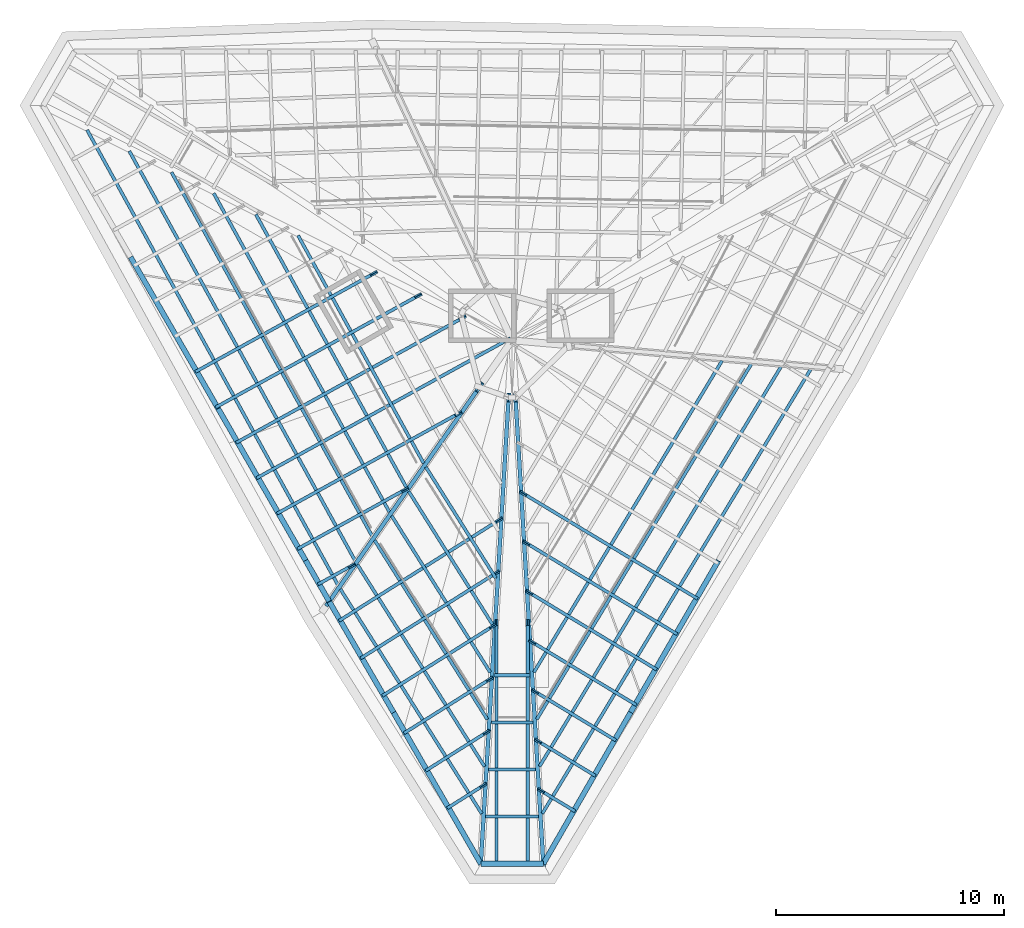
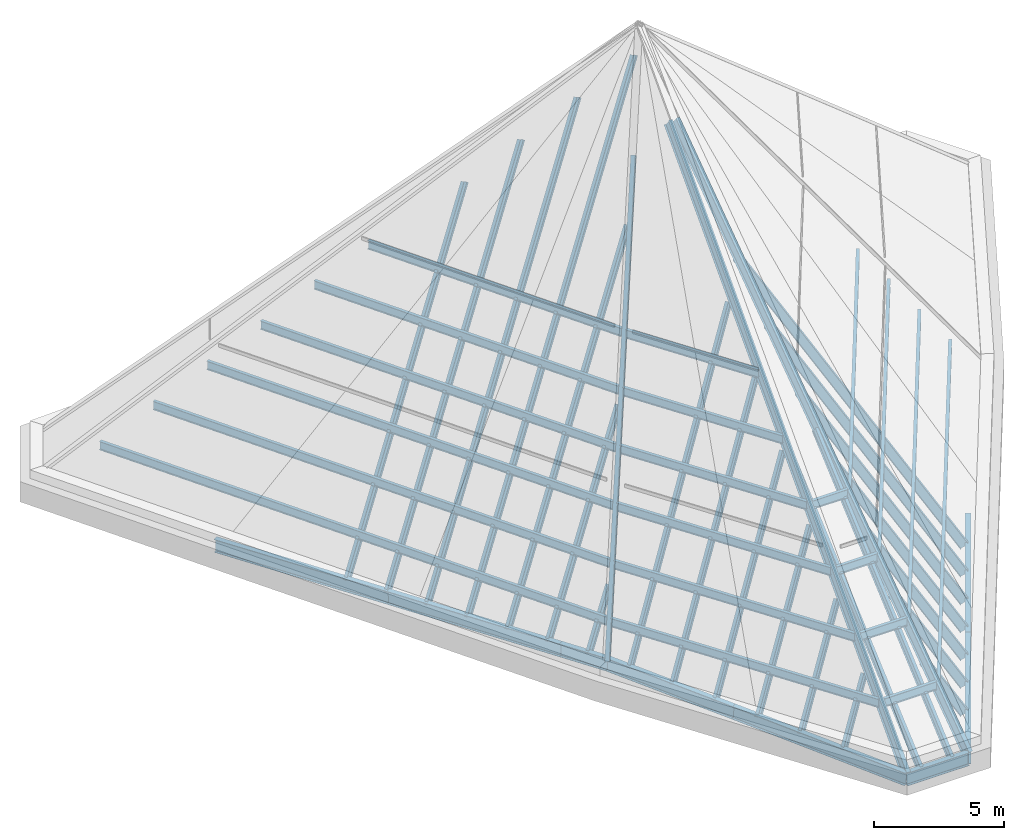
# One storey, part 1 of 6: 45 members, 8 beams.
"""IFC4 building model written with IfcOpenShell, lengths in metres."""

from ifc_helpers import new_model, si_unit, direction, frame, origin, origin_2d, place, context, subcontext, project, spatial, i_section, extrude, material, material_profile, profile_set, type_object, element, save


model = new_model("IFC4")

# Units and contexts
model_context = context("Model", 3, precision=1e-05, world=origin(), true_north=direction((0.0, 1.0)))
body_context = subcontext(model_context, "Body", "Model", "MODEL_VIEW")
ifc_project = project(units=[si_unit("LENGTHUNIT", "METRE"), si_unit("AREAUNIT", "SQUARE_METRE"), si_unit("VOLUMEUNIT", "CUBIC_METRE"), si_unit("PLANEANGLEUNIT", "RADIAN"), si_unit("MASSUNIT", "GRAM", prefix="KILO")], contexts=[model_context])

# Site, building, storey
site_placement = place(None, origin())
site = spatial("IfcSite", under=ifc_project, at=site_placement, CompositionType="ELEMENT")
building_placement = place(site_placement, origin())
building = spatial("IfcBuilding", under=site, at=building_placement, Name="Verrane Prism Tower", CompositionType="ELEMENT")
storey_placement = place(building_placement, frame((0.0, 0.0, 333.60009765625)))
storey = spatial("IfcBuildingStorey", under=building, at=storey_placement, Name="Roof", CompositionType="ELEMENT", Elevation=333.60009765625)

# Members
ifc_material_1 = material(Name="Steel A992", Category="steel")
ifc_material_profile_1 = material_profile(ifc_material_1, i_section(OverallWidth=0.140380859375, OverallDepth=0.40380859375, WebThickness=0.007080078125, FlangeThickness=0.01123046875, FilletRadius=0.01025390625, at=origin_2d()), Name="W16x31")
ifc_profile_set_1 = profile_set([ifc_material_profile_1], Name="Steel A992")
member_type_1 = type_object("IfcMemberType", Name="Common rafter W16x31", PredefinedType="RAFTER", material=ifc_profile_set_1)
member_1_placement = place(storey_placement, frame((-13.7275390625, -1.300537109375, -0.335693359375), z_axis=(0.477943135437, 0.26348985442, 0.837940007343), x_axis=(-0.482792288244, 0.875734895052, 0.0)))
element("IfcMember", 1, at=member_1_placement, inside=storey, type_object=member_type_1, Name="Common rafter", PredefinedType="RAFTER", context=body_context, shape_type="SweptSolid", body=[
    extrude(i_section(OverallWidth=0.140380859375, OverallDepth=0.40380859375, WebThickness=0.007080078125, FlangeThickness=0.01123046875, FilletRadius=0.01025390625, at=origin_2d()), origin(), (0.0, 0.0, 1.0), 16.056396484375),
])
member_2_placement = place(storey_placement, frame((-12.83251953125, -2.85205078125, -0.2822265625), z_axis=(0.477940834976, 0.263489464521, 0.837941442076), x_axis=(-0.482793522508, 0.875734214602, 0.0)))
element("IfcMember", 2, at=member_2_placement, inside=storey, type_object=member_type_1, Name="Common rafter", PredefinedType="RAFTER", context=body_context, shape_type="SweptSolid", body=[
    extrude(i_section(OverallWidth=0.140380859375, OverallDepth=0.40380859375, WebThickness=0.007080078125, FlangeThickness=0.01123046875, FilletRadius=0.01025390625, at=origin_2d()), origin(), (0.0, 0.0, 1.0), 18.25146484375),
])
member_3_placement = place(storey_placement, frame((-11.9375, -4.4033203125, -0.22900390625), z_axis=(0.477934246523, 0.263486522048, 0.837946125177), x_axis=(-0.482794491768, 0.875733680247, 0.0)))
element("IfcMember", 3, at=member_3_placement, inside=storey, type_object=member_type_1, Name="Common rafter", PredefinedType="RAFTER", context=body_context, shape_type="SweptSolid", body=[
    extrude(i_section(OverallWidth=0.140380859375, OverallDepth=0.40380859375, WebThickness=0.007080078125, FlangeThickness=0.01123046875, FilletRadius=0.01025390625, at=origin_2d()), origin(), (0.0, 0.0, 1.0), 20.44677734375),
])
member_4_placement = place(storey_placement, frame((-11.04248046875, -5.954833984375, -0.175537109375), z_axis=(0.477941573539, 0.26348517295, 0.837942370285), x_axis=(-0.482786919733, 0.875737854689, 0.0)))
element("IfcMember", 4, at=member_4_placement, inside=storey, type_object=member_type_1, Name="Common rafter", PredefinedType="RAFTER", context=body_context, shape_type="SweptSolid", body=[
    extrude(i_section(OverallWidth=0.140380859375, OverallDepth=0.40380859375, WebThickness=0.007080078125, FlangeThickness=0.01123046875, FilletRadius=0.01025390625, at=origin_2d()), origin(), (0.0, 0.0, 1.0), 22.641845703125),
])
member_5_placement = place(storey_placement, frame((-10.1474609375, -7.50634765625, -0.122314453125), z_axis=(0.477927682083, 0.26349830084, 0.837946165427), x_axis=(-0.482816129084, 0.875721751184, 0.0)))
element("IfcMember", 5, at=member_5_placement, inside=storey, type_object=member_type_1, Name="Common rafter", PredefinedType="RAFTER", context=body_context, shape_type="SweptSolid", body=[
    extrude(i_section(OverallWidth=0.140380859375, OverallDepth=0.40380859375, WebThickness=0.007080078125, FlangeThickness=0.01123046875, FilletRadius=0.01025390625, at=origin_2d()), origin(), (0.0, 0.0, 1.0), 16.299560546875),
])
member_6_placement = place(storey_placement, frame((-9.25244140625, -9.0576171875, -0.06884765625), z_axis=(0.477928423652, 0.263473033937, 0.837953687416), x_axis=(-0.482780048497, 0.875741642708, 0.0)))
element("IfcMember", 6, at=member_6_placement, inside=storey, type_object=member_type_1, Name="Common rafter", PredefinedType="RAFTER", context=body_context, shape_type="SweptSolid", body=[
    extrude(i_section(OverallWidth=0.140380859375, OverallDepth=0.40380859375, WebThickness=0.007080078125, FlangeThickness=0.01123046875, FilletRadius=0.01025390625, at=origin_2d()), origin(), (0.0, 0.0, 1.0), 9.5478515625),
])
member_7_placement = place(storey_placement, frame((-8.357421875, -10.609130859375, -0.015380859375), z_axis=(0.477945722998, 0.263507525029, 0.837932974719), x_axis=(-0.482815114009, 0.87572231083, 0.0)))
element("IfcMember", 7, at=member_7_placement, inside=storey, type_object=member_type_1, Name="Common rafter", PredefinedType="RAFTER", context=body_context, shape_type="SweptSolid", body=[
    extrude(i_section(OverallWidth=0.140380859375, OverallDepth=0.40380859375, WebThickness=0.007080078125, FlangeThickness=0.01123046875, FilletRadius=0.01025390625, at=origin_2d()), origin(), (0.0, 0.0, 1.0), 2.796142578125),
])
member_8_placement = place(storey_placement, frame((-7.439208984375, -12.199951171875, -0.0400390625), z_axis=(0.470433752926, 0.296199647912, 0.831238745899), x_axis=(-0.532814066147, 0.846232338614, 0.0)))
element("IfcMember", 8, at=member_8_placement, inside=storey, type_object=member_type_1, Name="Common rafter", PredefinedType="RAFTER", context=body_context, shape_type="SweptSolid", body=[
    extrude(i_section(OverallWidth=0.140380859375, OverallDepth=0.40380859375, WebThickness=0.007080078125, FlangeThickness=0.01123046875, FilletRadius=0.01025390625, at=origin_2d()), origin(), (0.0, 0.0, 1.0), 14.62451171875),
])
member_9_placement = place(storey_placement, frame((-6.490478515625, -13.84130859375, -0.147705078125), z_axis=(0.470419645076, 0.29619088127, 0.831249853762), x_axis=(-0.532814215704, 0.846232244448, 0.0)))
element("IfcMember", 9, at=member_9_placement, inside=storey, type_object=member_type_1, Name="Common rafter", PredefinedType="RAFTER", context=body_context, shape_type="SweptSolid", body=[
    extrude(i_section(OverallWidth=0.140380859375, OverallDepth=0.40380859375, WebThickness=0.007080078125, FlangeThickness=0.01123046875, FilletRadius=0.01025390625, at=origin_2d()), origin(), (0.0, 0.0, 1.0), 12.31298828125),
])
member_10_placement = place(storey_placement, frame((-5.5419921875, -15.482666015625, -0.255126953125), z_axis=(0.470437115956, 0.296186680914, 0.831241463102), x_axis=(-0.532794634633, 0.846244572985, 0.0)))
element("IfcMember", 10, at=member_10_placement, inside=storey, type_object=member_type_1, Name="Common rafter", PredefinedType="RAFTER", context=body_context, shape_type="SweptSolid", body=[
    extrude(i_section(OverallWidth=0.140380859375, OverallDepth=0.40380859375, WebThickness=0.007080078125, FlangeThickness=0.01123046875, FilletRadius=0.01025390625, at=origin_2d()), origin(), (0.0, 0.0, 1.0), 10.0009765625),
])
member_11_placement = place(storey_placement, frame((-4.593505859375, -17.124267578125, -0.362548828125), z_axis=(0.470423527759, 0.296205527164, 0.831242437685), x_axis=(-0.532829932928, 0.84622234819, 0.0)))
element("IfcMember", 11, at=member_11_placement, inside=storey, type_object=member_type_1, Name="Common rafter", PredefinedType="RAFTER", context=body_context, shape_type="SweptSolid", body=[
    extrude(i_section(OverallWidth=0.140380859375, OverallDepth=0.40380859375, WebThickness=0.007080078125, FlangeThickness=0.01123046875, FilletRadius=0.01025390625, at=origin_2d()), origin(), (0.0, 0.0, 1.0), 7.689208984375),
])
member_12_placement = place(storey_placement, frame((-3.644775390625, -18.765625, -0.469970703125), z_axis=(0.470422335716, 0.296210338598, 0.83124139777), x_axis=(-0.532837097562, 0.846217836885, 0.0)))
element("IfcMember", 12, at=member_12_placement, inside=storey, type_object=member_type_1, Name="Common rafter", PredefinedType="RAFTER", context=body_context, shape_type="SweptSolid", body=[
    extrude(i_section(OverallWidth=0.140380859375, OverallDepth=0.40380859375, WebThickness=0.007080078125, FlangeThickness=0.01123046875, FilletRadius=0.01025390625, at=origin_2d()), origin(), (0.0, 0.0, 1.0), 5.377197265625),
])
member_13_placement = place(storey_placement, frame((-2.6962890625, -20.406982421875, -0.577392578125), z_axis=(0.470450220356, 0.296191699594, 0.831232258312), x_axis=(-0.532790471453, 0.846247194104, 0.0)))
element("IfcMember", 13, at=member_13_placement, inside=storey, type_object=member_type_1, Name="Common rafter", PredefinedType="RAFTER", context=body_context, shape_type="SweptSolid", body=[
    extrude(i_section(OverallWidth=0.140380859375, OverallDepth=0.40380859375, WebThickness=0.007080078125, FlangeThickness=0.01123046875, FilletRadius=0.01025390625, at=origin_2d()), origin(), (0.0, 0.0, 1.0), 3.0654296875),
])
for number, where, z_axis, x_axis, name in (
    (14, (-0.68505859375, -22.81591796875, -0.71337890625), (0.0, 0.753603355745, 0.657329432027), (-1.0, 0.0, 0.0), "Common rafter"),
    (15, (0.68505859375, -22.81591796875, -0.71337890625), (0.0, 0.753603355745, 0.657329432027), (-1.0, 0.0, 0.0), "Common rafter"),
):
    element("IfcMember", number, at=place(storey_placement, frame(where, z_axis=z_axis, x_axis=x_axis)), inside=storey, type_object=member_type_1, Name=name, PredefinedType="RAFTER", context=body_context, shape_type="SweptSolid", body=[
        extrude(i_section(OverallWidth=0.140380859375, OverallDepth=0.40380859375, WebThickness=0.007080078125, FlangeThickness=0.01123046875, FilletRadius=0.01025390625, at=origin_2d()), origin(), (0.0, 0.0, 1.0), 13.87890625),
    ])
member_14_placement = place(storey_placement, frame((2.61474609375, -20.543701171875, -0.658203125), z_axis=(-0.467134257628, 0.282092859347, 0.837979238439), x_axis=(-0.516935618749, -0.856024278901, 0.0)))
element("IfcMember", 16, at=member_14_placement, inside=storey, type_object=member_type_1, Name="Common rafter", PredefinedType="RAFTER", context=body_context, shape_type="SweptSolid", body=[
    extrude(i_section(OverallWidth=0.140380859375, OverallDepth=0.40380859375, WebThickness=0.007080078125, FlangeThickness=0.01123046875, FilletRadius=0.01025390625, at=origin_2d()), origin(), (0.0, 0.0, 1.0), 2.8828125),
])
member_15_placement = place(storey_placement, frame((3.509765625, -18.992431640625, -0.602783203125), z_axis=(-0.467178849762, 0.282163713357, 0.837930522895), x_axis=(-0.516994593613, -0.85598866241, 0.0)))
element("IfcMember", 17, at=member_15_placement, inside=storey, type_object=member_type_1, Name="Common rafter", PredefinedType="RAFTER", context=body_context, shape_type="SweptSolid", body=[
    extrude(i_section(OverallWidth=0.140380859375, OverallDepth=0.40380859375, WebThickness=0.007080078125, FlangeThickness=0.01123046875, FilletRadius=0.01025390625, at=origin_2d()), origin(), (0.0, 0.0, 1.0), 5.076416015625),
])
member_16_placement = place(storey_placement, frame((4.40478515625, -17.44091796875, -0.547607421875), z_axis=(-0.467148451542, 0.282169754842, 0.837945435976), x_axis=(-0.517027353727, -0.855968875309, 0.0)))
element("IfcMember", 18, at=member_16_placement, inside=storey, type_object=member_type_1, Name="Common rafter", PredefinedType="RAFTER", context=body_context, shape_type="SweptSolid", body=[
    extrude(i_section(OverallWidth=0.140380859375, OverallDepth=0.40380859375, WebThickness=0.007080078125, FlangeThickness=0.01123046875, FilletRadius=0.01025390625, at=origin_2d()), origin(), (0.0, 0.0, 1.0), 7.26953125),
])
member_17_placement = place(storey_placement, frame((5.2998046875, -15.889404296875, -0.4921875), z_axis=(-0.467175883374, 0.282142448673, 0.837939337094), x_axis=(-0.51696844974, -0.856004452076, 0.0)))
element("IfcMember", 19, at=member_17_placement, inside=storey, type_object=member_type_1, Name="Common rafter", PredefinedType="RAFTER", context=body_context, shape_type="SweptSolid", body=[
    extrude(i_section(OverallWidth=0.140380859375, OverallDepth=0.40380859375, WebThickness=0.007080078125, FlangeThickness=0.01123046875, FilletRadius=0.01025390625, at=origin_2d()), origin(), (0.0, 0.0, 1.0), 9.463134765625),
])
member_18_placement = place(storey_placement, frame((6.19482421875, -14.338134765625, -0.43701171875), z_axis=(-0.467162897324, 0.282161782235, 0.837940067076), x_axis=(-0.517004936267, -0.855982415635, 0.0)))
element("IfcMember", 20, at=member_18_placement, inside=storey, type_object=member_type_1, Name="Common rafter", PredefinedType="RAFTER", context=body_context, shape_type="SweptSolid", body=[
    extrude(i_section(OverallWidth=0.140380859375, OverallDepth=0.40380859375, WebThickness=0.007080078125, FlangeThickness=0.01123046875, FilletRadius=0.01025390625, at=origin_2d()), origin(), (0.0, 0.0, 1.0), 11.65673828125),
])
member_19_placement = place(storey_placement, frame((7.08984375, -12.78662109375, -0.381591796875), z_axis=(-0.467172472503, 0.282150878986, 0.837938400136), x_axis=(-0.516982533871, -0.855995946061, 0.0)))
element("IfcMember", 21, at=member_19_placement, inside=storey, type_object=member_type_1, Name="Common rafter", PredefinedType="RAFTER", context=body_context, shape_type="SweptSolid", body=[
    extrude(i_section(OverallWidth=0.140380859375, OverallDepth=0.40380859375, WebThickness=0.007080078125, FlangeThickness=0.01123046875, FilletRadius=0.01025390625, at=origin_2d()), origin(), (0.0, 0.0, 1.0), 13.849853515625),
])
member_20_placement = place(storey_placement, frame((7.98486328125, -11.2353515625, -0.326416015625), z_axis=(-0.467163503543, 0.282163773501, 0.837939058572), x_axis=(-0.517007118036, -0.855981097864, 0.0)))
element("IfcMember", 22, at=member_20_placement, inside=storey, type_object=member_type_1, Name="Common rafter", PredefinedType="RAFTER", context=body_context, shape_type="SweptSolid", body=[
    extrude(i_section(OverallWidth=0.140380859375, OverallDepth=0.40380859375, WebThickness=0.007080078125, FlangeThickness=0.01123046875, FilletRadius=0.01025390625, at=origin_2d()), origin(), (0.0, 0.0, 1.0), 16.04345703125),
])

# Beams
ifc_material_2 = material(Name="Steel A992", Category="steel")
ifc_material_profile_2 = material_profile(ifc_material_2, i_section(OverallWidth=0.228271484375, OverallDepth=0.607177734375, WebThickness=0.01123046875, FlangeThickness=0.017333984375, FilletRadius=0.0126953125, at=origin_2d()), Name="W24x76")
ifc_profile_set_2 = profile_set([ifc_material_profile_2], Name="Steel A992")
beam_type = type_object("IfcBeamType", Name="Eave ring beam W24x76", PredefinedType="BEAM", material=ifc_profile_set_2)
beam_1_placement = place(storey_placement, frame((-16.7099609375, 3.639892578125, -0.616943359375), z_axis=(0.500369029568, -0.865242656228, 0.031400319951), x_axis=(0.865669527937, 0.500615889083, 0.0)))
element("IfcBeam", 23, at=beam_1_placement, inside=storey, type_object=beam_type, Name="Eave ring beam", PredefinedType="BEAM", context=body_context, shape_type="SweptSolid", body=[
    extrude(i_section(OverallWidth=0.228271484375, OverallDepth=0.607177734375, WebThickness=0.01123046875, FlangeThickness=0.017333984375, FilletRadius=0.0126953125, at=origin_2d()), origin(), (0.0, 0.0, 1.0), 7.674072265625),
])
beam_2_placement = place(storey_placement, frame((-12.8701171875, -3.0, -0.3759765625), z_axis=(0.498890846471, -0.866190009955, 0.028684315624), x_axis=(0.866546576227, 0.499096214401, 0.0)))
element("IfcBeam", 24, at=beam_2_placement, inside=storey, type_object=beam_type, Name="Eave ring beam", PredefinedType="BEAM", context=body_context, shape_type="SweptSolid", body=[
    extrude(i_section(OverallWidth=0.228271484375, OverallDepth=0.607177734375, WebThickness=0.01123046875, FlangeThickness=0.017333984375, FilletRadius=0.0126953125, at=origin_2d()), origin(), (0.0, 0.0, 1.0), 7.67724609375),
])
beam_3_placement = place(storey_placement, frame((-9.0400390625, -9.64990234375, -0.15576171875), z_axis=(0.498549225313, -0.866405053329, 0.028123895621), x_axis=(0.866747899781, 0.49874650698, 0.0)))
element("IfcBeam", 25, at=beam_3_placement, inside=storey, type_object=beam_type, Name="Eave ring beam", PredefinedType="BEAM", context=body_context, shape_type="SweptSolid", body=[
    extrude(i_section(OverallWidth=0.228271484375, OverallDepth=0.607177734375, WebThickness=0.01123046875, FlangeThickness=0.017333984375, FilletRadius=0.0126953125, at=origin_2d()), origin(), (0.0, 0.0, 1.0), 2.066162109375),
])
beam_4_placement = place(storey_placement, frame((-8.010009765625, -11.43994140625, -0.097412109375), z_axis=(0.500561015127, -0.863957004911, -0.054926895057), x_axis=(0.865263224773, 0.501317815219, 0.0)))
element("IfcBeam", 26, at=beam_4_placement, inside=storey, type_object=beam_type, Name="Eave ring beam", PredefinedType="BEAM", context=body_context, shape_type="SweptSolid", body=[
    extrude(i_section(OverallWidth=0.228271484375, OverallDepth=0.607177734375, WebThickness=0.01123046875, FlangeThickness=0.017333984375, FilletRadius=0.0126953125, at=origin_2d()), origin(), (0.0, 0.0, 1.0), 5.61376953125),
])
beam_5_placement = place(storey_placement, frame((-5.199951171875, -16.2900390625, -0.40576171875), z_axis=(0.498801465433, -0.864786348912, -0.057807169258), x_axis=(0.866234895134, 0.499636974665, 0.0)))
element("IfcBeam", 27, at=beam_5_placement, inside=storey, type_object=beam_type, Name="Eave ring beam", PredefinedType="BEAM", context=body_context, shape_type="SweptSolid", body=[
    extrude(i_section(OverallWidth=0.228271484375, OverallDepth=0.607177734375, WebThickness=0.01123046875, FlangeThickness=0.017333984375, FilletRadius=0.0126953125, at=origin_2d()), origin(), (0.0, 0.0, 1.0), 7.677978515625),
])
beam_6_placement = place(storey_placement, frame((-1.3701171875, -22.929931640625, -0.848388671875), z_axis=(1.0, 0.0, 0.0), x_axis=(0.0, 1.0, 0.0)))
element("IfcBeam", 28, at=beam_6_placement, inside=storey, type_object=beam_type, Name="Eave ring beam", PredefinedType="BEAM", context=body_context, shape_type="SweptSolid", body=[
    extrude(i_section(OverallWidth=0.228271484375, OverallDepth=0.607177734375, WebThickness=0.01123046875, FlangeThickness=0.017333984375, FilletRadius=0.0126953125, at=origin_2d()), origin(), (0.0, 0.0, 1.0), 2.740234375),
])
beam_7_placement = place(storey_placement, frame((1.3701171875, -22.929931640625, -0.849853515625), z_axis=(0.499397712292, 0.865820079123, 0.030943748094), x_axis=(-0.866234895134, 0.499636974665, 0.0)))
element("IfcBeam", 29, at=beam_7_placement, inside=storey, type_object=beam_type, Name="Eave ring beam", PredefinedType="BEAM", context=body_context, shape_type="SweptSolid", body=[
    extrude(i_section(OverallWidth=0.228271484375, OverallDepth=0.607177734375, WebThickness=0.01123046875, FlangeThickness=0.017333984375, FilletRadius=0.0126953125, at=origin_2d()), origin(), (0.0, 0.0, 1.0), 7.6689453125),
])
beam_8_placement = place(storey_placement, frame((5.199951171875, -16.2900390625, -0.612548828125), z_axis=(0.500412389562, 0.865294435203, 0.029205834676), x_axis=(-0.86566371122, 0.500625947267, 0.0)))
element("IfcBeam", 30, at=beam_8_placement, inside=storey, type_object=beam_type, Name="Eave ring beam", PredefinedType="BEAM", context=body_context, shape_type="SweptSolid", body=[
    extrude(i_section(OverallWidth=0.228271484375, OverallDepth=0.607177734375, WebThickness=0.01123046875, FlangeThickness=0.017333984375, FilletRadius=0.0126953125, at=origin_2d()), origin(), (0.0, 0.0, 1.0), 7.673828125),
])

# Members
ifc_material_3 = material(Name="Steel A992", Category="steel")
ifc_material_profile_3 = material_profile(ifc_material_3, i_section(OverallWidth=0.177978515625, OverallDepth=0.599365234375, WebThickness=0.010009765625, FlangeThickness=0.012939453125, FilletRadius=0.012939453125, at=origin_2d()), Name="W24x55")
ifc_profile_set_3 = profile_set([ifc_material_profile_3], Name="Steel A992")
member_type_2 = type_object("IfcMemberType", Name="Hip rafter W24x55", PredefinedType="RAFTER", material=ifc_profile_set_3)
member_21_placement = place(storey_placement, frame((-8.010009765625, -11.43994140625, -0.037353515625), z_axis=(0.336957054977, 0.480843918502, 0.809474563616), x_axis=(-0.818938717294, 0.573880978355, 0.0)))
element("IfcMember", 31, at=member_21_placement, inside=storey, type_object=member_type_2, Name="Hip rafter", PredefinedType="RAFTER", context=body_context, shape_type="SweptSolid", body=[
    extrude(i_section(OverallWidth=0.177978515625, OverallDepth=0.599365234375, WebThickness=0.010009765625, FlangeThickness=0.012939453125, FilletRadius=0.012939453125, at=origin_2d()), origin(), (0.0, 0.0, 1.0), 19.52783203125),
])
member_22_placement = place(storey_placement, frame((-1.3701171875, -22.929931640625, -0.6728515625), z_axis=(0.044964177643, 0.752830602105, 0.656676714421), x_axis=(-0.998221111454, 0.059620572353, 0.0)))
element("IfcMember", 32, at=member_22_placement, inside=storey, type_object=member_type_2, Name="Hip rafter", PredefinedType="RAFTER", context=body_context, shape_type="SweptSolid", body=[
    extrude(i_section(OverallWidth=0.177978515625, OverallDepth=0.599365234375, WebThickness=0.010009765625, FlangeThickness=0.012939453125, FilletRadius=0.012939453125, at=origin_2d()), origin(), (0.0, 0.0, 1.0), 27.137451171875),
])
member_23_placement = place(storey_placement, frame((1.3701171875, -22.929931640625, -0.676513671875), z_axis=(-0.044963912006, 0.75282615458, 0.656681831329), x_axis=(-0.998221111454, -0.059620572353, 0.0)))
element("IfcMember", 33, at=member_23_placement, inside=storey, type_object=member_type_2, Name="Hip rafter", PredefinedType="RAFTER", context=body_context, shape_type="SweptSolid", body=[
    extrude(i_section(OverallWidth=0.177978515625, OverallDepth=0.599365234375, WebThickness=0.010009765625, FlangeThickness=0.012939453125, FilletRadius=0.012939453125, at=origin_2d()), origin(), (0.0, 0.0, 1.0), 27.1376953125),
])
ifc_material_4 = material(Name="Steel A992", Category="steel")
ifc_material_profile_4 = material_profile(ifc_material_4, i_section(OverallWidth=0.140380859375, OverallDepth=0.40380859375, WebThickness=0.007080078125, FlangeThickness=0.01123046875, FilletRadius=0.01025390625, at=origin_2d()), Name="W16x31")
ifc_profile_set_4 = profile_set([ifc_material_profile_4], Name="Steel A992")
member_type_3 = type_object("IfcMemberType", Name="Purlin W16x31", PredefinedType="PURLIN", material=ifc_profile_set_4)
member_24_placement = place(storey_placement, frame((-18.6181640625, 9.218505859375, 1.35009765625), z_axis=(0.482801059119, -0.875730059615, 0.0), x_axis=(0.875730059615, 0.482801059119, 0.0)))
element("IfcMember", 34, at=member_24_placement, inside=storey, type_object=member_type_3, Name="Purlin", PredefinedType="PURLIN", context=body_context, shape_type="SweptSolid", body=[
    extrude(i_section(OverallWidth=0.140380859375, OverallDepth=0.40380859375, WebThickness=0.007080078125, FlangeThickness=0.01123046875, FilletRadius=0.01025390625, at=origin_2d()), origin(), (0.0, 0.0, 1.0), 22.778076171875),
])
member_25_placement = place(storey_placement, frame((-16.769287109375, 8.293212890625, 3.150146484375), z_axis=(0.482799010142, -0.875731189239, 0.0), x_axis=(0.875731189239, 0.482799010142, 0.0)))
element("IfcMember", 35, at=member_25_placement, inside=storey, type_object=member_type_3, Name="Purlin", PredefinedType="PURLIN", context=body_context, shape_type="SweptSolid", body=[
    extrude(i_section(OverallWidth=0.140380859375, OverallDepth=0.40380859375, WebThickness=0.007080078125, FlangeThickness=0.01123046875, FilletRadius=0.01025390625, at=origin_2d()), origin(), (0.0, 0.0, 1.0), 20.500244140625),
])
member_26_placement = place(storey_placement, frame((-14.92041015625, 7.367919921875, 4.9501953125), z_axis=(0.482802113602, -0.875729478264, 0.0), x_axis=(0.875729478264, 0.482802113602, 0.0)))
element("IfcMember", 36, at=member_26_placement, inside=storey, type_object=member_type_3, Name="Purlin", PredefinedType="PURLIN", context=body_context, shape_type="SweptSolid", body=[
    extrude(i_section(OverallWidth=0.140380859375, OverallDepth=0.40380859375, WebThickness=0.007080078125, FlangeThickness=0.01123046875, FilletRadius=0.01025390625, at=origin_2d()), origin(), (0.0, 0.0, 1.0), 18.221923828125),
])
member_27_placement = place(storey_placement, frame((-13.071533203125, 6.442626953125, 6.75), z_axis=(0.482787886495, -0.87573732172, 0.0), x_axis=(0.87573732172, 0.482787886495, 0.0)))
element("IfcMember", 37, at=member_27_placement, inside=storey, type_object=member_type_3, Name="Purlin", PredefinedType="PURLIN", context=body_context, shape_type="SweptSolid", body=[
    extrude(i_section(OverallWidth=0.140380859375, OverallDepth=0.40380859375, WebThickness=0.007080078125, FlangeThickness=0.01123046875, FilletRadius=0.01025390625, at=origin_2d()), origin(), (0.0, 0.0, 1.0), 15.94384765625),
])
member_28_placement = place(storey_placement, frame((-11.222900390625, 5.517333984375, 8.550048828125), z_axis=(0.482803871212, -0.875728509267, 0.0), x_axis=(0.875728509267, 0.482803871212, 0.0)))
element("IfcMember", 38, at=member_28_placement, inside=storey, type_object=member_type_3, Name="Purlin", PredefinedType="PURLIN", context=body_context, shape_type="SweptSolid", body=[
    extrude(i_section(OverallWidth=0.140380859375, OverallDepth=0.40380859375, WebThickness=0.007080078125, FlangeThickness=0.01123046875, FilletRadius=0.01025390625, at=origin_2d()), origin(), (0.0, 0.0, 1.0), 13.665771484375),
])
member_29_placement = place(storey_placement, frame((-9.373779296875, 4.592041015625, 10.35009765625), z_axis=(0.482784303492, -0.875739296995, 0.0), x_axis=(0.875739296995, 0.482784303492, 0.0)))
element("IfcMember", 39, at=member_29_placement, inside=storey, type_object=member_type_3, Name="Purlin", PredefinedType="PURLIN", context=body_context, shape_type="SweptSolid", body=[
    extrude(i_section(OverallWidth=0.140380859375, OverallDepth=0.40380859375, WebThickness=0.007080078125, FlangeThickness=0.01123046875, FilletRadius=0.01025390625, at=origin_2d()), origin(), (0.0, 0.0, 1.0), 11.3876953125),
])
member_30_placement = place(storey_placement, frame((-7.521728515625, -10.897705078125, 1.35302734375), z_axis=(0.532827752514, -0.846223721099, 0.0), x_axis=(0.846223721099, 0.532827752514, 0.0)))
element("IfcMember", 40, at=member_30_placement, inside=storey, type_object=member_type_3, Name="Purlin", PredefinedType="PURLIN", context=body_context, shape_type="SweptSolid", body=[
    extrude(i_section(OverallWidth=0.140380859375, OverallDepth=0.40380859375, WebThickness=0.007080078125, FlangeThickness=0.01123046875, FilletRadius=0.01025390625, at=origin_2d()), origin(), (0.0, 0.0, 1.0), 11.62451171875),
])
member_31_placement = place(storey_placement, frame((-6.772705078125, -9.828125, 3.153076171875), z_axis=(0.532833098, -0.846220355271, 0.0), x_axis=(0.846220355271, 0.532833098, 0.0)))
element("IfcMember", 41, at=member_31_placement, inside=storey, type_object=member_type_3, Name="Purlin", PredefinedType="PURLIN", context=body_context, shape_type="SweptSolid", body=[
    extrude(i_section(OverallWidth=0.140380859375, OverallDepth=0.40380859375, WebThickness=0.007080078125, FlangeThickness=0.01123046875, FilletRadius=0.01025390625, at=origin_2d()), origin(), (0.0, 0.0, 1.0), 10.449951171875),
])
member_32_placement = place(storey_placement, frame((-6.023681640625, -8.75830078125, 4.952880859375), z_axis=(0.532827929335, -0.846223609763, 0.0), x_axis=(0.846223609763, 0.532827929335, 0.0)))
element("IfcMember", 42, at=member_32_placement, inside=storey, type_object=member_type_3, Name="Purlin", PredefinedType="PURLIN", context=body_context, shape_type="SweptSolid", body=[
    extrude(i_section(OverallWidth=0.140380859375, OverallDepth=0.40380859375, WebThickness=0.007080078125, FlangeThickness=0.01123046875, FilletRadius=0.01025390625, at=origin_2d()), origin(), (0.0, 0.0, 1.0), 9.27587890625),
])
member_33_placement = place(storey_placement, frame((-5.274658203125, -7.688720703125, 6.7529296875), z_axis=(0.532813269686, -0.84623284009, 0.0), x_axis=(0.84623284009, 0.532813269686, 0.0)))
element("IfcMember", 43, at=member_33_placement, inside=storey, type_object=member_type_3, Name="Purlin", PredefinedType="PURLIN", context=body_context, shape_type="SweptSolid", body=[
    extrude(i_section(OverallWidth=0.140380859375, OverallDepth=0.40380859375, WebThickness=0.007080078125, FlangeThickness=0.01123046875, FilletRadius=0.01025390625, at=origin_2d()), origin(), (0.0, 0.0, 1.0), 8.10107421875),
])
member_34_placement = place(storey_placement, frame((-4.525634765625, -6.618896484375, 8.552978515625), z_axis=(0.532802986887, -0.846239314358, 0.0), x_axis=(0.846239314358, 0.532802986887, 0.0)))
element("IfcMember", 44, at=member_34_placement, inside=storey, type_object=member_type_3, Name="Purlin", PredefinedType="PURLIN", context=body_context, shape_type="SweptSolid", body=[
    extrude(i_section(OverallWidth=0.140380859375, OverallDepth=0.40380859375, WebThickness=0.007080078125, FlangeThickness=0.01123046875, FilletRadius=0.01025390625, at=origin_2d()), origin(), (0.0, 0.0, 1.0), 6.927001953125),
])
member_35_placement = place(storey_placement, frame((-3.776611328125, -5.54931640625, 10.35302734375), z_axis=(0.532807641412, -0.846236383792, 0.0), x_axis=(0.846236383792, 0.532807641412, 0.0)))
element("IfcMember", 45, at=member_35_placement, inside=storey, type_object=member_type_3, Name="Purlin", PredefinedType="PURLIN", context=body_context, shape_type="SweptSolid", body=[
    extrude(i_section(OverallWidth=0.140380859375, OverallDepth=0.40380859375, WebThickness=0.007080078125, FlangeThickness=0.01123046875, FilletRadius=0.01025390625, at=origin_2d()), origin(), (0.0, 0.0, 1.0), 5.75244140625),
])
member_36_placement = place(storey_placement, frame((-1.157470703125, -20.865234375, 1.396728515625), z_axis=(1.0, 0.0, 0.0), x_axis=(0.0, 1.0, 0.0)))
element("IfcMember", 46, at=member_36_placement, inside=storey, type_object=member_type_3, Name="Purlin", PredefinedType="PURLIN", context=body_context, shape_type="SweptSolid", body=[
    extrude(i_section(OverallWidth=0.140380859375, OverallDepth=0.40380859375, WebThickness=0.007080078125, FlangeThickness=0.01123046875, FilletRadius=0.01025390625, at=origin_2d()), origin(), (0.0, 0.0, 1.0), 2.31494140625),
])
member_37_placement = place(storey_placement, frame((-1.0341796875, -18.801513671875, 3.19677734375), z_axis=(1.0, 0.0, 0.0), x_axis=(0.0, 1.0, 0.0)))
element("IfcMember", 47, at=member_37_placement, inside=storey, type_object=member_type_3, Name="Purlin", PredefinedType="PURLIN", context=body_context, shape_type="SweptSolid", body=[
    extrude(i_section(OverallWidth=0.140380859375, OverallDepth=0.40380859375, WebThickness=0.007080078125, FlangeThickness=0.01123046875, FilletRadius=0.01025390625, at=origin_2d()), origin(), (0.0, 0.0, 1.0), 2.068359375),
])
member_38_placement = place(storey_placement, frame((-0.910888671875, -16.738037109375, 4.99658203125), z_axis=(1.0, 0.0, 0.0), x_axis=(0.0, 1.0, 0.0)))
element("IfcMember", 48, at=member_38_placement, inside=storey, type_object=member_type_3, Name="Purlin", PredefinedType="PURLIN", context=body_context, shape_type="SweptSolid", body=[
    extrude(i_section(OverallWidth=0.140380859375, OverallDepth=0.40380859375, WebThickness=0.007080078125, FlangeThickness=0.01123046875, FilletRadius=0.01025390625, at=origin_2d()), origin(), (0.0, 0.0, 1.0), 1.82177734375),
])
member_39_placement = place(storey_placement, frame((-0.78759765625, -14.67431640625, 6.796630859375), z_axis=(1.0, 0.0, 0.0), x_axis=(0.0, 1.0, 0.0)))
element("IfcMember", 49, at=member_39_placement, inside=storey, type_object=member_type_3, Name="Purlin", PredefinedType="PURLIN", context=body_context, shape_type="SweptSolid", body=[
    extrude(i_section(OverallWidth=0.140380859375, OverallDepth=0.40380859375, WebThickness=0.007080078125, FlangeThickness=0.01123046875, FilletRadius=0.01025390625, at=origin_2d()), origin(), (0.0, 0.0, 1.0), 1.5751953125),
])
member_40_placement = place(storey_placement, frame((1.32763671875, -20.7294921875, 1.35009765625), z_axis=(0.517012096013, 0.855978091177, 0.0), x_axis=(-0.855978091177, 0.517012096013, 0.0)))
element("IfcMember", 50, at=member_40_placement, inside=storey, type_object=member_type_3, Name="Purlin", PredefinedType="PURLIN", context=body_context, shape_type="SweptSolid", body=[
    extrude(i_section(OverallWidth=0.140380859375, OverallDepth=0.40380859375, WebThickness=0.007080078125, FlangeThickness=0.01123046875, FilletRadius=0.01025390625, at=origin_2d()), origin(), (0.0, 0.0, 1.0), 22.780029296875),
])
member_41_placement = place(storey_placement, frame((1.204345703125, -18.666015625, 3.150146484375), z_axis=(0.5170187655, 0.855974062762, 0.0), x_axis=(-0.855974062762, 0.5170187655, 0.0)))
element("IfcMember", 51, at=member_41_placement, inside=storey, type_object=member_type_3, Name="Purlin", PredefinedType="PURLIN", context=body_context, shape_type="SweptSolid", body=[
    extrude(i_section(OverallWidth=0.140380859375, OverallDepth=0.40380859375, WebThickness=0.007080078125, FlangeThickness=0.01123046875, FilletRadius=0.01025390625, at=origin_2d()), origin(), (0.0, 0.0, 1.0), 20.501953125),
])
member_42_placement = place(storey_placement, frame((1.0810546875, -16.6025390625, 4.9501953125), z_axis=(0.517017286721, 0.855974955961, 0.0), x_axis=(-0.855974955961, 0.517017286721, 0.0)))
element("IfcMember", 52, at=member_42_placement, inside=storey, type_object=member_type_3, Name="Purlin", PredefinedType="PURLIN", context=body_context, shape_type="SweptSolid", body=[
    extrude(i_section(OverallWidth=0.140380859375, OverallDepth=0.40380859375, WebThickness=0.007080078125, FlangeThickness=0.01123046875, FilletRadius=0.01025390625, at=origin_2d()), origin(), (0.0, 0.0, 1.0), 18.2236328125),
])
member_43_placement = place(storey_placement, frame((0.9580078125, -14.539306640625, 6.75), z_axis=(0.516997390793, 0.855986972981, 0.0), x_axis=(-0.855986972981, 0.516997390793, 0.0)))
element("IfcMember", 53, at=member_43_placement, inside=storey, type_object=member_type_3, Name="Purlin", PredefinedType="PURLIN", context=body_context, shape_type="SweptSolid", body=[
    extrude(i_section(OverallWidth=0.140380859375, OverallDepth=0.40380859375, WebThickness=0.007080078125, FlangeThickness=0.01123046875, FilletRadius=0.01025390625, at=origin_2d()), origin(), (0.0, 0.0, 1.0), 15.9453125),
])

save(model, "model.ifc")
